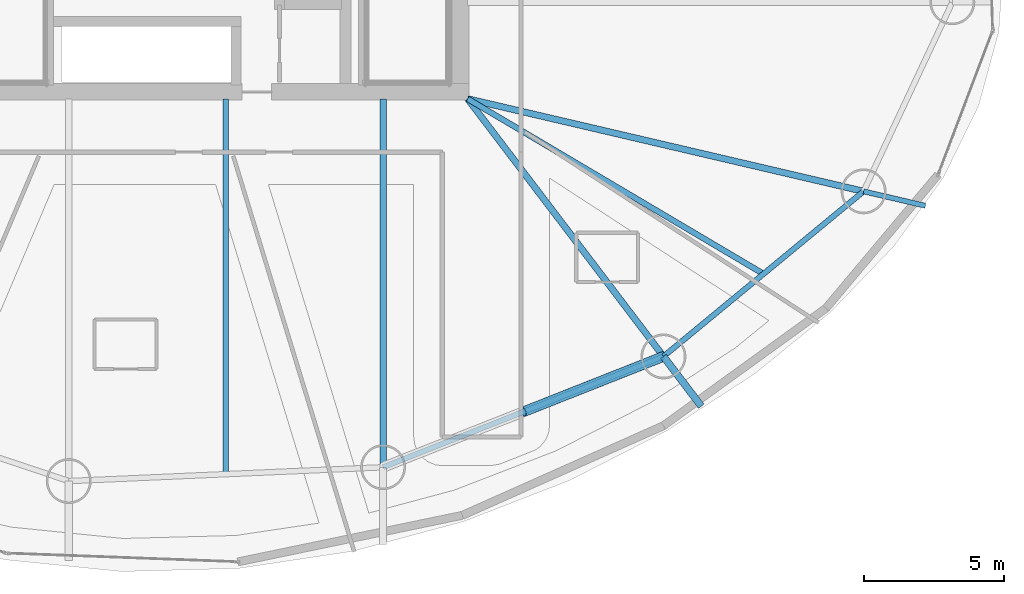
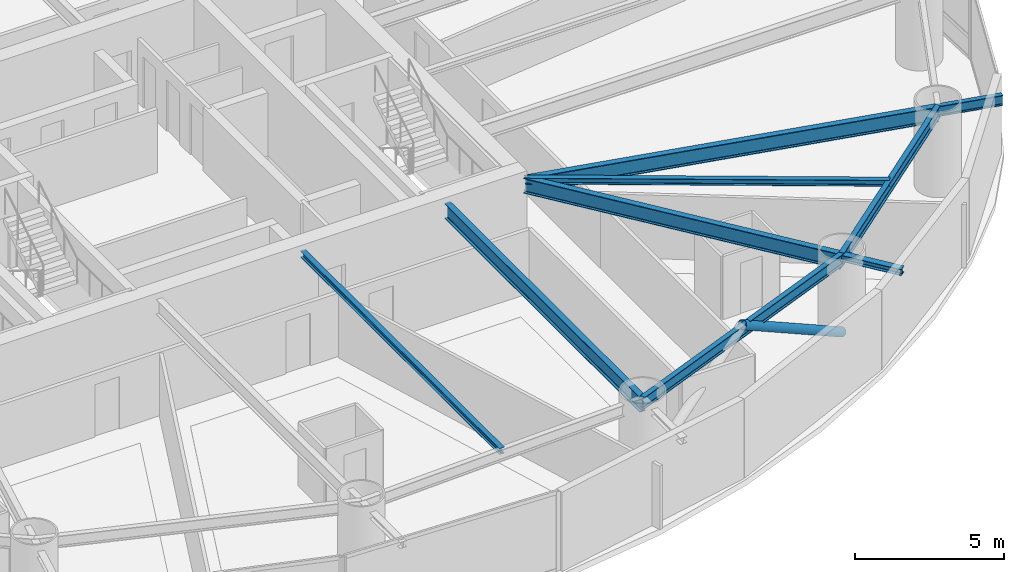
# One storey, part 9 of 27: 9 beams, 1 member.
"""IFC4 building model written with IfcOpenShell, lengths in metres."""

from ifc_helpers import new_model, si_unit, direction, frame, origin, origin_2d, place, context, subcontext, project, spatial, hollow_circle, i_section, extrude, material, material_profile, profile_set, type_object, element, save


model = new_model("IFC4")

# Units and contexts
model_context = context("Model", 3, precision=1e-05, world=origin(), true_north=direction((0.0, 1.0)))
body_context = subcontext(model_context, "Body", "Model", "MODEL_VIEW")
ifc_project = project(units=[si_unit("LENGTHUNIT", "METRE"), si_unit("AREAUNIT", "SQUARE_METRE"), si_unit("VOLUMEUNIT", "CUBIC_METRE"), si_unit("PLANEANGLEUNIT", "RADIAN"), si_unit("MASSUNIT", "GRAM", prefix="KILO")], contexts=[model_context])

# Site, building, storey
site_placement = place(None, origin())
site = spatial("IfcSite", under=ifc_project, at=site_placement, CompositionType="ELEMENT")
building_placement = place(site_placement, origin())
building = spatial("IfcBuilding", under=site, at=building_placement, Name="Bramvorn Convention Spire", CompositionType="ELEMENT")
storey_placement = place(building_placement, frame((0.0, 0.0, 72.89990234375)))
storey = spatial("IfcBuildingStorey", under=building, at=storey_placement, Name="L16", CompositionType="ELEMENT", Elevation=72.89990234375)

# Beams
ifc_material = material(Name="Steel CSA G40.21 Grade 350 (350W)", Category="steel")
ifc_material_profile_1 = material_profile(ifc_material, i_section(OverallWidth=0.201904296875, OverallDepth=0.2470703125, WebThickness=0.00732421875, FlangeThickness=0.010986328125, FilletRadius=0.011962890625, at=origin_2d()))
ifc_profile_set_1 = profile_set([ifc_material_profile_1], Name="Steel CSA G40.21 Grade 350 (350W) - W250X49")
beam_type_1 = type_object("IfcBeamType", Name="BM-W250X49", PredefinedType="JOIST", material=ifc_profile_set_1)
beam_1_placement = place(storey_placement, frame((40.638427734375, 18.550048828125, 3.126708984375), z_axis=(0.0, -1.0, 0.0), x_axis=(1.0, 0.0, 0.0)))
element("IfcBeam", 1, at=beam_1_placement, inside=storey, type_object=beam_type_1, Name="L16 composite floor joist 13", PredefinedType="JOIST", context=body_context, shape_type="SweptSolid", body=[
    extrude(i_section(OverallWidth=0.201904296875, OverallDepth=0.2470703125, WebThickness=0.00732421875, FlangeThickness=0.010986328125, FilletRadius=0.011962890625, at=origin_2d()), origin(), (0.0, 0.0, 1.0), 13.372802734375),
])
beam_2_placement = place(storey_placement, frame((49.25, 18.550048828125, 3.126708984375), z_axis=(0.860664556648, -0.509172388223, 0.0), x_axis=(0.509172388223, 0.860664556648, 0.0)))
element("IfcBeam", 2, at=beam_2_placement, inside=storey, type_object=beam_type_1, Name="L16 composite floor joist 15", PredefinedType="JOIST", context=body_context, shape_type="SweptSolid", body=[
    extrude(i_section(OverallWidth=0.201904296875, OverallDepth=0.2470703125, WebThickness=0.00732421875, FlangeThickness=0.010986328125, FilletRadius=0.011962890625, at=origin_2d()), origin(), (0.0, 0.0, 1.0), 12.25048828125),
])
ifc_material_profile_2 = material_profile(ifc_material, i_section(OverallWidth=0.25390625, OverallDepth=0.2529296875, WebThickness=0.008544921875, FlangeThickness=0.01416015625, FilletRadius=0.011962890625, at=origin_2d()))
ifc_profile_set_2 = profile_set([ifc_material_profile_2], Name="Steel CSA G40.21 Grade 350 (350W) - W250X73")
beam_type_2 = type_object("IfcBeamType", Name="BM-W250X73", PredefinedType="BEAM", material=ifc_profile_set_2)
beam_3_placement = place(storey_placement, frame((56.227783203125, 9.371337890625, 3.108642578125), z_axis=(0.60520292533, -0.796071240011, 0.0), x_axis=(0.796071240011, 0.60520292533, 0.0)))
element("IfcBeam", 3, at=beam_3_placement, inside=storey, type_object=beam_type_2, Name="L16 slab-edge cantilever tip beam MC15", PredefinedType="BEAM", context=body_context, shape_type="SweptSolid", body=[
    extrude(i_section(OverallWidth=0.25390625, OverallDepth=0.2529296875, WebThickness=0.008544921875, FlangeThickness=0.01416015625, FilletRadius=0.011962890625, at=origin_2d()), origin(), (0.0, 0.0, 1.0), 2.224365234375),
])
ifc_material_profile_3 = material_profile(ifc_material, i_section(OverallWidth=0.180908203125, OverallDepth=0.4169921875, WebThickness=0.010986328125, FlangeThickness=0.018310546875, FilletRadius=0.01611328125, at=origin_2d()))
ifc_profile_set_3 = profile_set([ifc_material_profile_3], Name="Steel CSA G40.21 Grade 350 (350W) - W410X85")
beam_type_3 = type_object("IfcBeamType", Name="BM-W410X85", PredefinedType="JOIST", material=ifc_profile_set_3)
beam_4_placement = place(storey_placement, frame((63.35888671875, 15.253662109375, 3.026611328125), z_axis=(0.973770235731, -0.227533575552, 0.0), x_axis=(0.227533575552, 0.973770235731, 0.0)))
element("IfcBeam", 4, at=beam_4_placement, inside=storey, type_object=beam_type_3, Name="L16 Sky-Garden cantilever tip girder MC16", PredefinedType="JOIST", context=body_context, shape_type="SweptSolid", body=[
    extrude(i_section(OverallWidth=0.180908203125, OverallDepth=0.4169921875, WebThickness=0.010986328125, FlangeThickness=0.018310546875, FilletRadius=0.01611328125, at=origin_2d()), origin(), (0.0, 0.0, 1.0), 2.259765625),
])
ifc_material_profile_4 = material_profile(ifc_material, i_section(OverallWidth=0.194091796875, OverallDepth=0.468994140625, WebThickness=0.0126953125, FlangeThickness=0.0205078125, FilletRadius=0.01806640625, at=origin_2d()))
ifc_profile_set_4 = profile_set([ifc_material_profile_4], Name="Steel CSA G40.21 Grade 350 (350W) - W460X106")
beam_type_4 = type_object("IfcBeamType", Name="BM-W460X106", PredefinedType="SPANDREL", material=ifc_profile_set_4)
beam_5_placement = place(storey_placement, frame((46.23779296875, 5.42333984375, 3.015625), z_axis=(0.93000950609, 0.367535465749, 0.0), x_axis=(-0.367535465749, 0.93000950609, 0.0)))
element("IfcBeam", 5, at=beam_5_placement, inside=storey, type_object=beam_type_4, Name="L16 mega-column ring beam 14", PredefinedType="SPANDREL", context=body_context, shape_type="SweptSolid", body=[
    extrude(i_section(OverallWidth=0.194091796875, OverallDepth=0.468994140625, WebThickness=0.0126953125, FlangeThickness=0.0205078125, FilletRadius=0.01806640625, at=origin_2d()), origin(), (0.0, 0.0, 1.0), 10.74169921875),
])
beam_6_placement = place(storey_placement, frame((56.227783203125, 9.371337890625, 3.015625), z_axis=(0.771417680101, 0.636329130896, 0.0), x_axis=(-0.636329130896, 0.771417680101, 0.0)))
element("IfcBeam", 6, at=beam_6_placement, inside=storey, type_object=beam_type_4, Name="L16 mega-column ring beam 15", PredefinedType="SPANDREL", context=body_context, shape_type="SweptSolid", body=[
    extrude(i_section(OverallWidth=0.194091796875, OverallDepth=0.468994140625, WebThickness=0.0126953125, FlangeThickness=0.0205078125, FilletRadius=0.01806640625, at=origin_2d()), origin(), (0.0, 0.0, 1.0), 9.244140625),
])
ifc_material_profile_5 = material_profile(ifc_material, i_section(OverallWidth=0.22998046875, OverallDepth=0.616943359375, WebThickness=0.01318359375, FlangeThickness=0.022216796875, FilletRadius=0.02001953125, at=origin_2d()))
ifc_profile_set_5 = profile_set([ifc_material_profile_5], Name="Steel CSA G40.21 Grade 350 (350W) - W610X140")
beam_type_5 = type_object("IfcBeamType", Name="BM-W610X140", PredefinedType="BEAM", material=ifc_profile_set_5)
beam_7_placement = place(storey_placement, frame((46.23779296875, 18.550048828125, 2.941650390625), z_axis=(0.0, -1.0, 0.0), x_axis=(1.0, 0.0, 0.0)))
element("IfcBeam", 7, at=beam_7_placement, inside=storey, type_object=beam_type_5, Name="L16 radial floor girder MC14", PredefinedType="BEAM", context=body_context, shape_type="SweptSolid", body=[
    extrude(i_section(OverallWidth=0.22998046875, OverallDepth=0.616943359375, WebThickness=0.01318359375, FlangeThickness=0.022216796875, FilletRadius=0.02001953125, at=origin_2d()), origin(), (0.0, 0.0, 1.0), 13.126708984375),
])
beam_8_placement = place(storey_placement, frame((49.25, 18.550048828125, 2.941650390625), z_axis=(0.605191175112, -0.796080172826, 0.0), x_axis=(0.796080172826, 0.605191175112, 0.0)))
element("IfcBeam", 8, at=beam_8_placement, inside=storey, type_object=beam_type_5, Name="L16 radial floor girder MC15", PredefinedType="BEAM", context=body_context, shape_type="SweptSolid", body=[
    extrude(i_section(OverallWidth=0.22998046875, OverallDepth=0.616943359375, WebThickness=0.01318359375, FlangeThickness=0.022216796875, FilletRadius=0.02001953125, at=origin_2d()), origin(), (0.0, 0.0, 1.0), 11.52978515625),
])
beam_9_placement = place(storey_placement, frame((49.25, 18.550048828125, 2.926513671875), z_axis=(0.973775294862, -0.227511923018, 0.0), x_axis=(0.227511923018, 0.973775294862, 0.0)))
element("IfcBeam", 9, at=beam_9_placement, inside=storey, type_object=beam_type_5, Name="L16 Sky-Garden back-span radial girder MC16", PredefinedType="BEAM", context=body_context, shape_type="SweptSolid", body=[
    extrude(i_section(OverallWidth=0.22998046875, OverallDepth=0.616943359375, WebThickness=0.01318359375, FlangeThickness=0.022216796875, FilletRadius=0.02001953125, at=origin_2d()), origin(), (0.0, 0.0, 1.0), 14.48876953125),
])

# Member
ifc_material_profile_6 = material_profile(ifc_material, hollow_circle(Radius=0.177734375, WallThickness=0.015869140625, at=origin_2d()))
ifc_profile_set_6 = profile_set([ifc_material_profile_6], Name="Steel CSA G40.21 Grade 350 (350W) - CHS356X16")
member_type = type_object("IfcMemberType", Name="MBR-CHS356X16", PredefinedType="BRACE", material=ifc_profile_set_6)
member_placement = place(storey_placement, frame((56.227783203125, 9.371337890625, 0.0), z_axis=(-0.795678790301, -0.314460346939, 0.517696776954), x_axis=(0.367547354558, -0.930004807599, 0.0)))
element("IfcMember", 10, at=member_placement, inside=storey, type_object=member_type, Name="L16 perimeter Gothic lancet brace 14B", PredefinedType="BRACE", context=body_context, shape_type="SweptSolid", body=[
    extrude(hollow_circle(Radius=0.177734375, WallThickness=0.015869140625, at=origin_2d()), origin(), (0.0, 0.0, 1.0), 6.27783203125),
])

save(model, "model.ifc")
